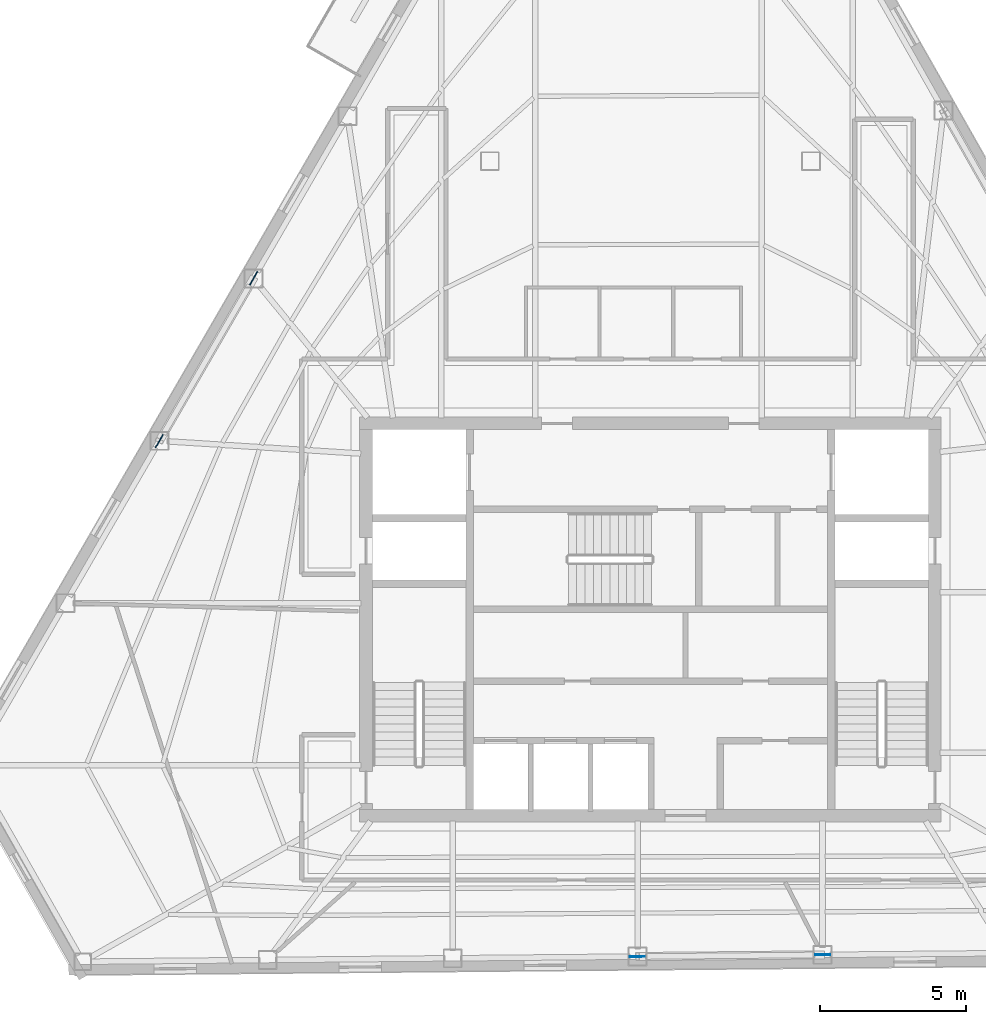
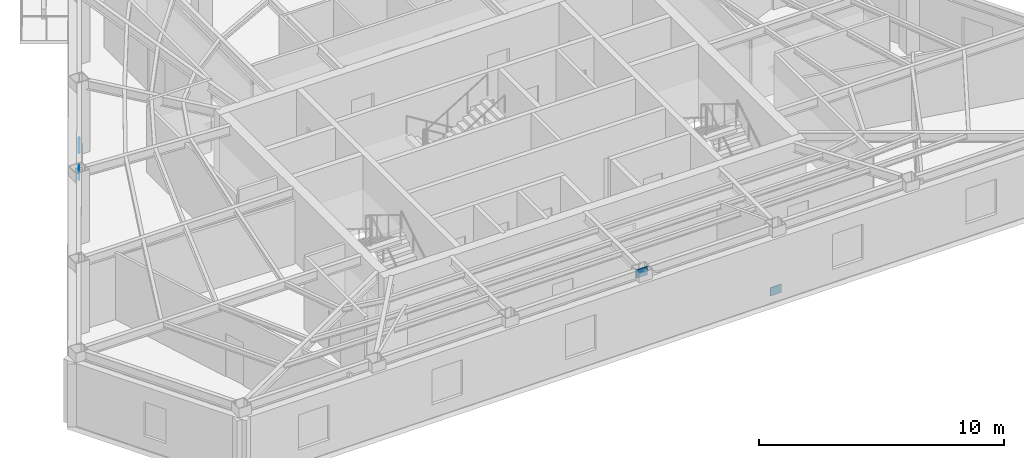
# One storey, part 4 of 10: 4 plates.
"""IFC4 building model written with IfcOpenShell, lengths in metres."""

from ifc_helpers import new_model, si_unit, direction, frame, origin, origin_2d, place, context, subcontext, project, spatial, rectangle, extrude, material, layer, layer_set, type_object, element, save


model = new_model("IFC4")

# Units and contexts
model_context = context("Model", 3, precision=1e-05, world=origin(), true_north=direction((0.0, 1.0)))
body_context = subcontext(model_context, "Body", "Model", "MODEL_VIEW")
ifc_project = project(units=[si_unit("LENGTHUNIT", "METRE"), si_unit("AREAUNIT", "SQUARE_METRE"), si_unit("VOLUMEUNIT", "CUBIC_METRE"), si_unit("PLANEANGLEUNIT", "RADIAN"), si_unit("MASSUNIT", "GRAM", prefix="KILO")], contexts=[model_context])

# Site, building, storey
site_placement = place(None, origin())
site = spatial("IfcSite", under=ifc_project, at=site_placement, CompositionType="ELEMENT")
building_placement = place(site_placement, origin())
building = spatial("IfcBuilding", under=site, at=building_placement, Name="Kavelnor Concourse Tower", CompositionType="ELEMENT")
storey_placement = place(building_placement, frame((0.0, 0.0, 222.75)))
storey = spatial("IfcBuildingStorey", under=building, at=storey_placement, Name="L56", CompositionType="ELEMENT", Elevation=222.75)

# Plates
ifc_material = material(Name="Steel Grade 350", Category="steel")
ifc_layer = layer(ifc_material, 0.031982421875, Name="Steel Grade 350")
ifc_layer_set = layer_set([ifc_layer], Name="Steel Grade 350")
plate_type = type_object("IfcPlateType", Name="PL-GUSSET-TUBE-Z1", PredefinedType="USERDEFINED", material=ifc_layer_set)
for number, where, z_axis, x_axis, name in (
    (1, (24.4091796875, 27.788818359375, 0.010009765625), (0.0, 0.0, 1.0), (-0.50105767621, -0.865413892373, 0.0), "L56 Tube Brace Gusset GP3 F0-B3 End Gusset A"),
    (2, (21.177978515625, 22.208984375, 3.16015625), (0.0, 0.0, 1.0), (-0.50105767621, -0.865413892373, 0.0), "L56 Tube Brace Gusset GP3 F0-B3 End Gusset B"),
    (3, (43.905517578125, 4.61279296875, 0.010009765625), (0.0, 0.0, 1.0), (-0.999957216788, -0.009250113117, 0.0), "L56 Tube Brace Gusset GP3 F1-B3 End Gusset A"),
    (4, (37.547119140625, 4.553955078125, 3.16015625), (0.0, 0.0, 1.0), (-0.999957216788, -0.009250113117, 0.0), "L56 Tube Brace Gusset GP3 F1-B3 End Gusset B"),
):
    element("IfcPlate", number, at=place(storey_placement, frame(where, z_axis=z_axis, x_axis=x_axis)), inside=storey, type_object=plate_type, Name=name, ObjectType="GUSSET_PLATE", PredefinedType="USERDEFINED", context=body_context, shape_type="SweptSolid", body=[
        extrude(rectangle(XDim=0.52001953125, YDim=0.031982421875, at=origin_2d()), origin(), (0.0, 0.0, 1.0), 0.419921875),
    ])

save(model, "model.ifc")
